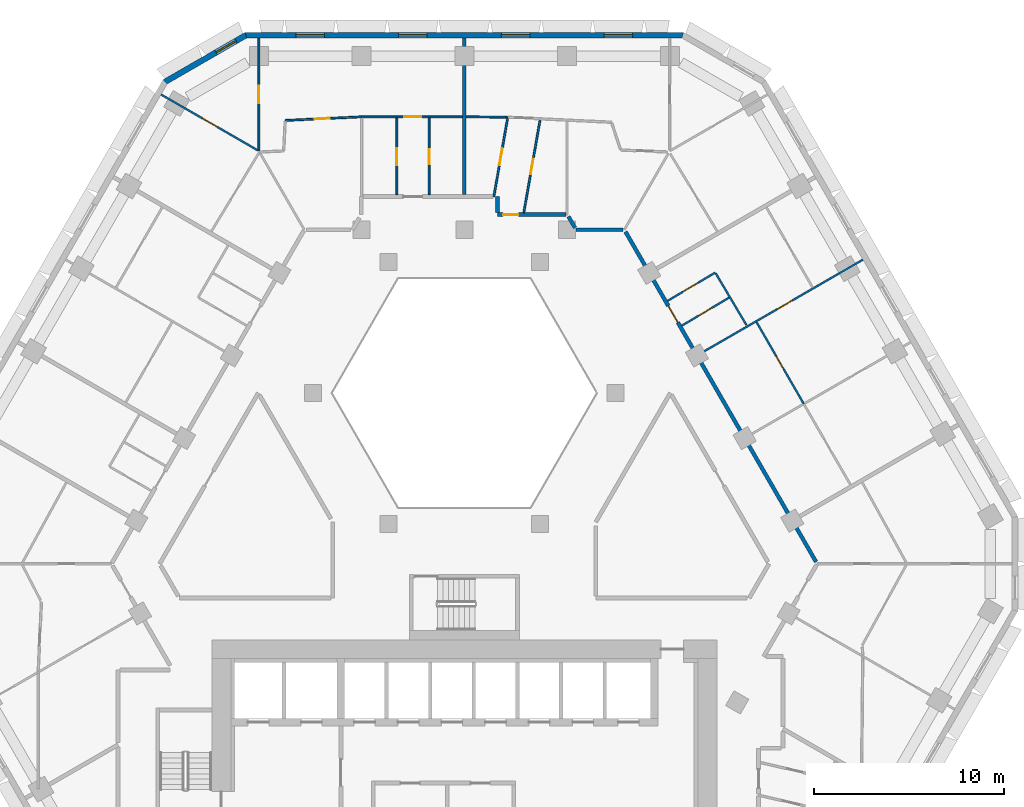
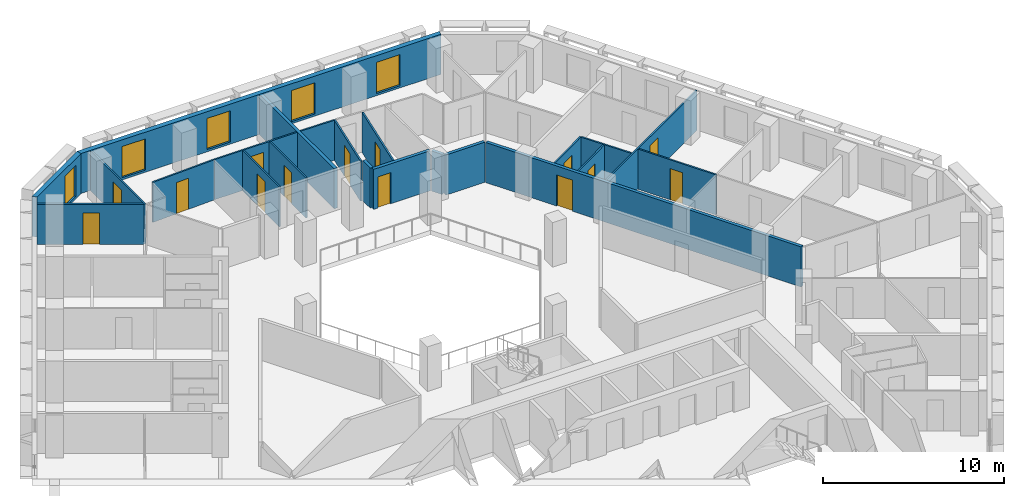
# One storey, part 8 of 15: 22 walls, 14 doors, 5 windows, 19 openings.
"""IFC4 building model written with IfcOpenShell, lengths in metres."""

from ifc_helpers import new_model, si_unit, direction, frame, frame_2d, origin, place, context, subcontext, project, spatial, polyline, rectangle, outline, extrude, material, layer, layer_set, type_object, element, fill, save


model = new_model("IFC4")

# Units and contexts
model_context = context("Model", 3, precision=1e-05, world=origin(), true_north=direction((0.0, 1.0)))
body_context = subcontext(model_context, "Body", "Model", "MODEL_VIEW")
ifc_project = project(units=[si_unit("LENGTHUNIT", "METRE"), si_unit("AREAUNIT", "SQUARE_METRE"), si_unit("VOLUMEUNIT", "CUBIC_METRE"), si_unit("PLANEANGLEUNIT", "RADIAN"), si_unit("MASSUNIT", "GRAM", prefix="KILO")], contexts=[model_context])

# Site, building, storey
site_placement = place(None, origin())
site = spatial("IfcSite", under=ifc_project, at=site_placement, CompositionType="ELEMENT")
building_placement = place(site_placement, origin())
building = spatial("IfcBuilding", under=site, at=building_placement, Name="Beryl Residences", CompositionType="ELEMENT")
storey_placement = place(building_placement, frame((0.0, 0.0, 78.0)))
storey = spatial("IfcBuildingStorey", under=building, at=storey_placement, Name="L23", CompositionType="ELEMENT", Elevation=78.0)

# Wall, openings, windows
ifc_material_1 = material(Name="Composite metal panel with mineral wool insulation")
ifc_layer_1 = layer(ifc_material_1, 0.300048828125)
ifc_layer_set_1 = layer_set([ifc_layer_1], Name="ES1 pale metal composite panel wall 300 mm")
wall_type_1 = type_object("IfcWallType", Name="ES1 pale metal composite panel wall 300 mm", PredefinedType="SOLIDWALL", material=ifc_layer_set_1)
wall_1_placement = place(storey_placement, frame((11.547119140625, 26.85009765625, 0.0), z_axis=(0.0, 0.0, 1.0), x_axis=(-1.0, 0.0, 0.0)))
wall_1 = element("IfcWall", 1, at=wall_1_placement, inside=storey, type_object=wall_type_1, Name="ES1 external wall L23 N", PredefinedType="SOLIDWALL", context=body_context, shape_type="SweptSolid", body=[
    extrude(outline(polyline([(0.0, -0.14990234375), (23.09423828125, -0.14990234375), (23.013916015625, 0.14990234375), (0.080322265625, 0.14990234375), (0.0, -0.14990234375)])), origin(), (0.0, 0.0, 1.0), 2.699951171875),
])
opening_1_placement = place(wall_1_placement, frame((2.677978515625, 0.0, 0.14990234375)))
opening_1 = element("IfcOpeningElement", 2, at=opening_1_placement, cuts=wall_1, Name="Opening W1", PredefinedType="OPENING", context=body_context, shape_type="SweptSolid", body=[
    extrude(rectangle(XDim=1.5, YDim=2.10009765625, at=frame_2d((0.75, 1.050048828125))), frame((0.0, 0.159912109375, 0.0), z_axis=(0.0, -1.0, 0.0), x_axis=(1.0, 0.0, 0.0)), (0.0, 0.0, 1.0), 0.320068359375),
])
opening_2_placement = place(wall_1_placement, frame((8.092041015625, 0.0, 0.14990234375)))
opening_2 = element("IfcOpeningElement", 3, at=opening_2_placement, cuts=wall_1, Name="Opening W1", PredefinedType="OPENING", context=body_context, shape_type="SweptSolid", body=[
    extrude(rectangle(XDim=1.5, YDim=2.10009765625, at=frame_2d((0.75, 1.050048828125))), frame((0.0, 0.159912109375, 0.0), z_axis=(0.0, -1.0, 0.0), x_axis=(1.0, 0.0, 0.0)), (0.0, 0.0, 1.0), 0.320068359375),
])
opening_3_placement = place(wall_1_placement, frame((13.50390625, 0.0, 0.14990234375)))
opening_3 = element("IfcOpeningElement", 4, at=opening_3_placement, cuts=wall_1, Name="Opening W1", PredefinedType="OPENING", context=body_context, shape_type="SweptSolid", body=[
    extrude(rectangle(XDim=1.5, YDim=2.10009765625, at=frame_2d((0.75, 1.050048828125))), frame((0.0, 0.159912109375, 0.0), z_axis=(0.0, -1.0, 0.0), x_axis=(1.0, 0.0, 0.0)), (0.0, 0.0, 1.0), 0.320068359375),
])
opening_4_placement = place(wall_1_placement, frame((18.9169921875, 0.0, 0.14990234375)))
opening_4 = element("IfcOpeningElement", 5, at=opening_4_placement, cuts=wall_1, Name="Opening W1", PredefinedType="OPENING", context=body_context, shape_type="SweptSolid", body=[
    extrude(rectangle(XDim=1.5, YDim=2.10009765625, at=frame_2d((0.75, 1.050048828125))), frame((0.0, 0.159912109375, 0.0), z_axis=(0.0, -1.0, 0.0), x_axis=(1.0, 0.0, 0.0)), (0.0, 0.0, 1.0), 0.320068359375),
])
ifc_material_2 = material(Name="Aluminium and clear glass", Category="aluminium")
window_type_1 = type_object("IfcWindowType", Name="W1 cell window 1500 x 2100 mm", PartitioningType="SINGLE_PANEL", PredefinedType="WINDOW", material=ifc_material_2)
window_1_placement = place(opening_1_placement, origin())
window_1 = element("IfcWindow", 6, at=window_1_placement, inside=storey, type_object=window_type_1, Name="W1 window L23 N 2", OverallHeight=2.10009765625, OverallWidth=1.5, PartitioningType="SINGLE_PANEL", PredefinedType="WINDOW", context=body_context, shape_type="SweptSolid", body=[
    extrude(rectangle(XDim=1.5, YDim=2.10009765625, at=frame_2d((0.75, 1.050048828125))), frame((0.0, 0.030029296875, 0.0), z_axis=(0.0, -1.0, 0.0), x_axis=(1.0, 0.0, 0.0)), (0.0, 0.0, 1.0), 0.06005859375),
])
fill(opening_1, window_1)
window_2_placement = place(opening_2_placement, origin())
window_2 = element("IfcWindow", 7, at=window_2_placement, inside=storey, type_object=window_type_1, Name="W1 window L23 N 4", OverallHeight=2.10009765625, OverallWidth=1.5, PartitioningType="SINGLE_PANEL", PredefinedType="WINDOW", context=body_context, shape_type="SweptSolid", body=[
    extrude(rectangle(XDim=1.5, YDim=2.10009765625, at=frame_2d((0.75, 1.050048828125))), frame((0.0, 0.030029296875, 0.0), z_axis=(0.0, -1.0, 0.0), x_axis=(1.0, 0.0, 0.0)), (0.0, 0.0, 1.0), 0.06005859375),
])
fill(opening_2, window_2)
window_3_placement = place(opening_3_placement, origin())
window_3 = element("IfcWindow", 8, at=window_3_placement, inside=storey, type_object=window_type_1, Name="W1 window L23 N 6", OverallHeight=2.10009765625, OverallWidth=1.5, PartitioningType="SINGLE_PANEL", PredefinedType="WINDOW", context=body_context, shape_type="SweptSolid", body=[
    extrude(rectangle(XDim=1.5, YDim=2.10009765625, at=frame_2d((0.75, 1.050048828125))), frame((0.0, 0.030029296875, 0.0), z_axis=(0.0, -1.0, 0.0), x_axis=(1.0, 0.0, 0.0)), (0.0, 0.0, 1.0), 0.06005859375),
])
fill(opening_3, window_3)
window_4_placement = place(opening_4_placement, origin())
window_4 = element("IfcWindow", 9, at=window_4_placement, inside=storey, type_object=window_type_1, Name="W1 window L23 N 8", OverallHeight=2.10009765625, OverallWidth=1.5, PartitioningType="SINGLE_PANEL", PredefinedType="WINDOW", context=body_context, shape_type="SweptSolid", body=[
    extrude(rectangle(XDim=1.5, YDim=2.10009765625, at=frame_2d((0.75, 1.050048828125))), frame((0.0, 0.030029296875, 0.0), z_axis=(0.0, -1.0, 0.0), x_axis=(1.0, 0.0, 0.0)), (0.0, 0.0, 1.0), 0.06005859375),
])
fill(opening_4, window_4)

# Wall, opening, window
wall_2_placement = place(storey_placement, frame((-11.471923828125, 26.8701171875, 0.0), z_axis=(0.0, 0.0, 1.0), x_axis=(-0.866022959057, -0.500004234368, 0.0)))
wall_2 = element("IfcWall", 10, at=wall_2_placement, inside=storey, type_object=wall_type_1, Name="ES1 external wall L23 N-NW", PredefinedType="SOLIDWALL", context=body_context, shape_type="SweptSolid", body=[
    extrude(outline(polyline([(0.0, -0.14990234375), (5.0, -0.14990234375), (4.919677734375, 0.14990234375), (0.080322265625, 0.14990234375), (0.0, -0.14990234375)])), origin(), (0.0, 0.0, 1.0), 2.699951171875),
])
opening_5_placement = place(wall_2_placement, frame((0.64990234375, 0.0, 0.14990234375)))
opening_5 = element("IfcOpeningElement", 11, at=opening_5_placement, cuts=wall_2, Name="Opening W2", PredefinedType="OPENING", context=body_context, shape_type="SweptSolid", body=[
    extrude(rectangle(XDim=1.199951171875, YDim=2.10009765625, at=frame_2d((0.60009765625, 1.050048828125))), frame((0.0, 0.159912109375, 0.0), z_axis=(0.0, -1.0, 0.0), x_axis=(1.0, 0.0, 0.0)), (0.0, 0.0, 1.0), 0.320068359375),
])
ifc_material_3 = material(Name="Aluminium and clear glass", Category="aluminium")
window_type_2 = type_object("IfcWindowType", Name="W2 chamfer window 1200 x 2100 mm", PartitioningType="SINGLE_PANEL", PredefinedType="WINDOW", material=ifc_material_3)
window_5_placement = place(opening_5_placement, origin())
window_5 = element("IfcWindow", 12, at=window_5_placement, inside=storey, type_object=window_type_2, Name="W2 window L23 N-NW 1", OverallHeight=2.10009765625, OverallWidth=1.199951171875, PartitioningType="SINGLE_PANEL", PredefinedType="WINDOW", context=body_context, shape_type="SweptSolid", body=[
    extrude(rectangle(XDim=1.199951171875, YDim=2.10009765625, at=frame_2d((0.60009765625, 1.050048828125))), frame((0.0, 0.030029296875, 0.0), z_axis=(0.0, -1.0, 0.0), x_axis=(1.0, 0.0, 0.0)), (0.0, 0.0, 1.0), 0.06005859375),
])
fill(opening_5, window_5)

# Walls
ifc_material_4 = material(Name="Gypsum board partition on steel studs", Category="steel")
ifc_layer_2 = layer(ifc_material_4, 0.10009765625)
ifc_layer_set_2 = layer_set([ifc_layer_2], Name="PT1 partition 100 mm gypsum board on steel studs")
wall_type_2 = type_object("IfcWallType", Name="PT1 partition 100 mm gypsum board on steel studs", PredefinedType="PARTITIONING", material=ifc_layer_set_2)
wall_3_placement = place(storey_placement, frame((0.09912109375, 22.549072265625, 0.0), z_axis=(0.0, 0.0, 1.0), x_axis=(0.99995279897, -0.009715957599, 0.0)))
element("IfcWall", 13, at=wall_3_placement, inside=storey, type_object=wall_type_2, Name="Wall PT1 L23 001", PredefinedType="PARTITIONING", context=body_context, shape_type="SweptSolid", body=[
    extrude(rectangle(XDim=2.160888671875, YDim=0.10009765625, at=frame_2d((1.08056640625, 0.0))), origin(), (0.0, 0.0, 1.0), 2.699951171875),
])
wall_4_placement = place(storey_placement, frame((13.2470703125, 14.300048828125, 0.0), z_axis=(0.0, 0.0, 1.0), x_axis=(0.510312234073, -0.85998919979, 0.0)))
element("IfcWall", 14, at=wall_4_placement, inside=storey, type_object=wall_type_2, Name="Wall PT1 L23 004", PredefinedType="PARTITIONING", context=body_context, shape_type="SweptSolid", body=[
    extrude(rectangle(XDim=3.162841796875, YDim=0.10009765625, at=frame_2d((1.58154296875, 0.0))), origin(), (0.0, 0.0, 1.0), 2.699951171875),
])

# Wall, opening, door
wall_5_placement = place(storey_placement, frame((15.39794921875, 11.73095703125, 0.0), z_axis=(0.0, 0.0, 1.0), x_axis=(0.500010064822, -0.866019592779, 0.0)))
wall_5 = element("IfcWall", 15, at=wall_5_placement, inside=storey, type_object=wall_type_2, Name="Wall PT1 L23 006", PredefinedType="PARTITIONING", context=body_context, shape_type="SweptSolid", body=[
    extrude(rectangle(XDim=4.97216796875, YDim=0.10009765625, at=frame_2d((2.486083984375, 0.0))), origin(), (0.0, 0.0, 1.0), 2.699951171875),
])
opening_6_placement = place(wall_5_placement, frame((2.06103515625, 0.0, 0.0)))
opening_6 = element("IfcOpeningElement", 16, at=opening_6_placement, cuts=wall_5, Name="Opening D0814", PredefinedType="OPENING", context=body_context, shape_type="SweptSolid", body=[
    extrude(rectangle(XDim=0.800048828125, YDim=2.10009765625, at=frame_2d((0.39990234375, 1.050048828125))), frame((0.0, 0.06005859375, 0.0), z_axis=(0.0, -1.0, 0.0), x_axis=(1.0, 0.0, 0.0)), (0.0, 0.0, 1.0), 0.1201171875),
])
ifc_material_5 = material(Name="Timber door leaf", Category="wood")
door_type_1 = type_object("IfcDoorType", Name="D3 bathroom door 800 x 2100 mm", OperationType="SINGLE_SWING_LEFT", PredefinedType="DOOR", material=ifc_material_5)
door_1_placement = place(opening_6_placement, origin())
door_1 = element("IfcDoor", 17, at=door_1_placement, inside=storey, type_object=door_type_1, Name="Door D0814 L23 001", OperationType="SINGLE_SWING_RIGHT", OverallHeight=2.10009765625, OverallWidth=0.800048828125, PredefinedType="DOOR", context=body_context, shape_type="SweptSolid", body=[
    extrude(rectangle(XDim=0.800048828125, YDim=2.10009765625, at=frame_2d((0.39990234375, 1.050048828125))), frame((0.0, 0.02490234375, 0.0), z_axis=(0.0, -1.0, 0.0), x_axis=(1.0, 0.0, 0.0)), (0.0, 0.0, 1.0), 0.050048828125),
])
fill(opening_6, door_1)

wall_6_placement = place(storey_placement, frame((-15.97705078125, 23.72509765625, 0.0), z_axis=(0.0, 0.0, 1.0), x_axis=(0.866028213039, -0.499995134196, 0.0)))
wall_6 = element("IfcWall", 18, at=wall_6_placement, inside=storey, type_object=wall_type_2, Name="Wall PT1 L23 025", PredefinedType="PARTITIONING", context=body_context, shape_type="SweptSolid", body=[
    extrude(rectangle(XDim=5.89013671875, YDim=0.10009765625, at=frame_2d((2.945068359375, 0.0))), origin(), (0.0, 0.0, 1.0), 2.699951171875),
])
opening_7_placement = place(wall_6_placement, frame((2.52392578125, 0.0, 0.0)))
opening_7 = element("IfcOpeningElement", 19, at=opening_7_placement, cuts=wall_6, Name="Opening D0829", PredefinedType="OPENING", context=body_context, shape_type="SweptSolid", body=[
    extrude(rectangle(XDim=0.89990234375, YDim=2.10009765625, at=frame_2d((0.449951171875, 1.050048828125))), frame((0.0, 0.06005859375, 0.0), z_axis=(0.0, -1.0, 0.0), x_axis=(1.0, 0.0, 0.0)), (0.0, 0.0, 1.0), 0.1201171875),
])
ifc_material_6 = material(Name="Timber door leaf", Category="wood")
door_type_2 = type_object("IfcDoorType", Name="D2 room door 900 x 2100 mm", OperationType="SINGLE_SWING_LEFT", PredefinedType="DOOR", material=ifc_material_6)
door_2_placement = place(opening_7_placement, origin())
door_2 = element("IfcDoor", 20, at=door_2_placement, inside=storey, type_object=door_type_2, Name="Door D0829 L23 001", OperationType="SINGLE_SWING_LEFT", OverallHeight=2.10009765625, OverallWidth=0.89990234375, PredefinedType="DOOR", context=body_context, shape_type="SweptSolid", body=[
    extrude(rectangle(XDim=0.89990234375, YDim=2.10009765625, at=frame_2d((0.449951171875, 1.050048828125))), frame((0.0, 0.02490234375, 0.0), z_axis=(0.0, -1.0, 0.0), x_axis=(1.0, 0.0, 0.0)), (0.0, 0.0, 1.0), 0.050048828125),
])
fill(opening_7, door_2)

wall_7_placement = place(storey_placement, frame((-5.384033203125, 22.550048828125, 0.0), z_axis=(0.0, 0.0, 1.0), x_axis=(1.0, 0.0, 0.0)))
wall_7 = element("IfcWall", 21, at=wall_7_placement, inside=storey, type_object=wall_type_2, Name="Wall PT1 L23 032", PredefinedType="PARTITIONING", context=body_context, shape_type="SweptSolid", body=[
    extrude(rectangle(XDim=5.282958984375, YDim=0.10009765625, at=frame_2d((2.6416015625, 0.0))), origin(), (0.0, 0.0, 1.0), 2.699951171875),
])
opening_8_placement = place(wall_7_placement, frame((2.22607421875, 0.0, 0.0)))
opening_8 = element("IfcOpeningElement", 22, at=opening_8_placement, cuts=wall_7, Name="Opening D0826", PredefinedType="OPENING", context=body_context, shape_type="SweptSolid", body=[
    extrude(rectangle(XDim=0.89990234375, YDim=2.10009765625, at=frame_2d((0.449951171875, 1.050048828125))), frame((0.0, 0.06005859375, 0.0), z_axis=(0.0, -1.0, 0.0), x_axis=(1.0, 0.0, 0.0)), (0.0, 0.0, 1.0), 0.1201171875),
])
door_3_placement = place(opening_8_placement, origin())
door_3 = element("IfcDoor", 23, at=door_3_placement, inside=storey, type_object=door_type_2, Name="Door D0826 L23 001", OperationType="SINGLE_SWING_RIGHT", OverallHeight=2.10009765625, OverallWidth=0.89990234375, PredefinedType="DOOR", context=body_context, shape_type="SweptSolid", body=[
    extrude(rectangle(XDim=0.89990234375, YDim=2.10009765625, at=frame_2d((0.449951171875, 1.050048828125))), frame((0.0, 0.02490234375, 0.0), z_axis=(0.0, -1.0, 0.0), x_axis=(1.0, 0.0, 0.0)), (0.0, 0.0, 1.0), 0.050048828125),
])
fill(opening_8, door_3)

wall_8_placement = place(storey_placement, frame((3.134033203125, 17.5, 0.0), z_axis=(0.0, 0.0, 1.0), x_axis=(0.172821216702, 0.984953210593, 0.0)))
wall_8 = element("IfcWall", 24, at=wall_8_placement, inside=storey, type_object=wall_type_2, Name="Wall PT1 L23 042", PredefinedType="PARTITIONING", context=body_context, shape_type="SweptSolid", body=[
    extrude(rectangle(XDim=4.9697265625, YDim=0.10009765625, at=frame_2d((2.48486328125, 0.0))), origin(), (0.0, 0.0, 1.0), 2.699951171875),
])
opening_9_placement = place(wall_8_placement, frame((2.05908203125, 0.0, 0.0)))
opening_9 = element("IfcOpeningElement", 25, at=opening_9_placement, cuts=wall_8, Name="Opening D0816", PredefinedType="OPENING", context=body_context, shape_type="SweptSolid", body=[
    extrude(rectangle(XDim=0.800048828125, YDim=2.10009765625, at=frame_2d((0.39990234375, 1.050048828125))), frame((0.0, 0.06005859375, 0.0), z_axis=(0.0, -1.0, 0.0), x_axis=(1.0, 0.0, 0.0)), (0.0, 0.0, 1.0), 0.1201171875),
])
door_4_placement = place(opening_9_placement, origin())
door_4 = element("IfcDoor", 26, at=door_4_placement, inside=storey, type_object=door_type_1, Name="Door D0816 L23 001", OperationType="SINGLE_SWING_RIGHT", OverallHeight=2.10009765625, OverallWidth=0.800048828125, PredefinedType="DOOR", context=body_context, shape_type="SweptSolid", body=[
    extrude(rectangle(XDim=0.800048828125, YDim=2.10009765625, at=frame_2d((0.39990234375, 1.050048828125))), frame((0.0, 0.02490234375, 0.0), z_axis=(0.0, -1.0, 0.0), x_axis=(1.0, 0.0, 0.0)), (0.0, 0.0, 1.0), 0.050048828125),
])
fill(opening_9, door_4)

wall_9_placement = place(storey_placement, frame((1.556884765625, 18.35009765625, 0.0), z_axis=(0.0, 0.0, 1.0), x_axis=(0.173062973099, 0.984910761106, 0.0)))
wall_9 = element("IfcWall", 27, at=wall_9_placement, inside=storey, type_object=wall_type_2, Name="Wall PT1 L23 043", PredefinedType="PARTITIONING", context=body_context, shape_type="SweptSolid", body=[
    extrude(rectangle(XDim=4.241943359375, YDim=0.10009765625, at=frame_2d((2.12109375, 0.0))), origin(), (0.0, 0.0, 1.0), 2.699951171875),
])
opening_10_placement = place(wall_9_placement, frame((1.6708984375, 0.0, 0.0)))
opening_10 = element("IfcOpeningElement", 28, at=opening_10_placement, cuts=wall_9, Name="Opening D0817", PredefinedType="OPENING", context=body_context, shape_type="SweptSolid", body=[
    extrude(rectangle(XDim=0.89990234375, YDim=2.10009765625, at=frame_2d((0.449951171875, 1.050048828125))), frame((0.0, 0.06005859375, 0.0), z_axis=(0.0, -1.0, 0.0), x_axis=(1.0, 0.0, 0.0)), (0.0, 0.0, 1.0), 0.1201171875),
])
door_5_placement = place(opening_10_placement, origin())
door_5 = element("IfcDoor", 29, at=door_5_placement, inside=storey, type_object=door_type_2, Name="Door D0817 L23 001", OperationType="SINGLE_SWING_LEFT", OverallHeight=2.10009765625, OverallWidth=0.89990234375, PredefinedType="DOOR", context=body_context, shape_type="SweptSolid", body=[
    extrude(rectangle(XDim=0.89990234375, YDim=2.10009765625, at=frame_2d((0.449951171875, 1.050048828125))), frame((0.0, 0.02490234375, 0.0), z_axis=(0.0, -1.0, 0.0), x_axis=(1.0, 0.0, 0.0)), (0.0, 0.0, 1.0), 0.050048828125),
])
fill(opening_10, door_5)

wall_10_placement = place(storey_placement, frame((-3.556884765625, 18.449951171875, 0.0), z_axis=(0.0, 0.0, 1.0), x_axis=(0.0, 1.0, 0.0)))
wall_10 = element("IfcWall", 30, at=wall_10_placement, inside=storey, type_object=wall_type_2, Name="Wall PT1 L23 053", PredefinedType="PARTITIONING", context=body_context, shape_type="SweptSolid", body=[
    extrude(rectangle(XDim=4.050048828125, YDim=0.10009765625, at=frame_2d((2.02490234375, 0.0))), origin(), (0.0, 0.0, 1.0), 2.699951171875),
])
opening_11_placement = place(wall_10_placement, frame((1.550048828125, 0.0, 0.0)))
opening_11 = element("IfcOpeningElement", 31, at=opening_11_placement, cuts=wall_10, Name="Opening D0825", PredefinedType="OPENING", context=body_context, shape_type="SweptSolid", body=[
    extrude(rectangle(XDim=0.89990234375, YDim=2.10009765625, at=frame_2d((0.449951171875, 1.050048828125))), frame((0.0, 0.06005859375, 0.0), z_axis=(0.0, -1.0, 0.0), x_axis=(1.0, 0.0, 0.0)), (0.0, 0.0, 1.0), 0.1201171875),
])
door_6_placement = place(opening_11_placement, origin())
door_6 = element("IfcDoor", 32, at=door_6_placement, inside=storey, type_object=door_type_2, Name="Door D0825 L23 001", OperationType="SINGLE_SWING_LEFT", OverallHeight=2.10009765625, OverallWidth=0.89990234375, PredefinedType="DOOR", context=body_context, shape_type="SweptSolid", body=[
    extrude(rectangle(XDim=0.89990234375, YDim=2.10009765625, at=frame_2d((0.449951171875, 1.050048828125))), frame((0.0, 0.02490234375, 0.0), z_axis=(0.0, -1.0, 0.0), x_axis=(1.0, 0.0, 0.0)), (0.0, 0.0, 1.0), 0.050048828125),
])
fill(opening_11, door_6)

wall_11_placement = place(storey_placement, frame((-10.826904296875, 20.7529296875, 0.0), z_axis=(0.0, 0.0, 1.0), x_axis=(0.0, 1.0, 0.0)))
wall_11 = element("IfcWall", 33, at=wall_11_placement, inside=storey, type_object=wall_type_2, Name="Wall PT1 L23 056", PredefinedType="PARTITIONING", context=body_context, shape_type="SweptSolid", body=[
    extrude(rectangle(XDim=5.947021484375, YDim=0.10009765625, at=frame_2d((2.9736328125, 0.0))), origin(), (0.0, 0.0, 1.0), 2.699951171875),
])
opening_12_placement = place(wall_11_placement, frame((2.52294921875, 0.0, 0.0)))
opening_12 = element("IfcOpeningElement", 34, at=opening_12_placement, cuts=wall_11, Name="Opening D0827", PredefinedType="OPENING", context=body_context, shape_type="SweptSolid", body=[
    extrude(rectangle(XDim=0.89990234375, YDim=2.10009765625, at=frame_2d((0.449951171875, 1.050048828125))), frame((0.0, 0.06005859375, 0.0), z_axis=(0.0, -1.0, 0.0), x_axis=(1.0, 0.0, 0.0)), (0.0, 0.0, 1.0), 0.1201171875),
])
door_7_placement = place(opening_12_placement, origin())
door_7 = element("IfcDoor", 35, at=door_7_placement, inside=storey, type_object=door_type_2, Name="Door D0827 L23 001", OperationType="SINGLE_SWING_LEFT", OverallHeight=2.10009765625, OverallWidth=0.89990234375, PredefinedType="DOOR", context=body_context, shape_type="SweptSolid", body=[
    extrude(rectangle(XDim=0.89990234375, YDim=2.10009765625, at=frame_2d((0.449951171875, 1.050048828125))), frame((0.0, 0.02490234375, 0.0), z_axis=(0.0, -1.0, 0.0), x_axis=(1.0, 0.0, 0.0)), (0.0, 0.0, 1.0), 0.050048828125),
])
fill(opening_12, door_7)

wall_12_placement = place(storey_placement, frame((-1.85693359375, 18.449951171875, 0.0), z_axis=(0.0, 0.0, 1.0), x_axis=(0.0, 1.0, 0.0)))
wall_12 = element("IfcWall", 36, at=wall_12_placement, inside=storey, type_object=wall_type_2, Name="Wall PT1 L23 058", PredefinedType="PARTITIONING", context=body_context, shape_type="SweptSolid", body=[
    extrude(rectangle(XDim=4.050048828125, YDim=0.10009765625, at=frame_2d((2.02490234375, 0.0))), origin(), (0.0, 0.0, 1.0), 2.699951171875),
])
opening_13_placement = place(wall_12_placement, frame((1.60009765625, 0.0, 0.0)))
opening_13 = element("IfcOpeningElement", 37, at=opening_13_placement, cuts=wall_12, Name="Opening D0824", PredefinedType="OPENING", context=body_context, shape_type="SweptSolid", body=[
    extrude(rectangle(XDim=0.800048828125, YDim=2.10009765625, at=frame_2d((0.39990234375, 1.050048828125))), frame((0.0, 0.06005859375, 0.0), z_axis=(0.0, -1.0, 0.0), x_axis=(1.0, 0.0, 0.0)), (0.0, 0.0, 1.0), 0.1201171875),
])
door_8_placement = place(opening_13_placement, origin())
door_8 = element("IfcDoor", 38, at=door_8_placement, inside=storey, type_object=door_type_1, Name="Door D0824 L23 001", OperationType="SINGLE_SWING_RIGHT", OverallHeight=2.10009765625, OverallWidth=0.800048828125, PredefinedType="DOOR", context=body_context, shape_type="SweptSolid", body=[
    extrude(rectangle(XDim=0.800048828125, YDim=2.10009765625, at=frame_2d((0.39990234375, 1.050048828125))), frame((0.0, 0.02490234375, 0.0), z_axis=(0.0, -1.0, 0.0), x_axis=(1.0, 0.0, 0.0)), (0.0, 0.0, 1.0), 0.050048828125),
])
fill(opening_13, door_8)

wall_13_placement = place(storey_placement, frame((-9.43505859375, 22.35791015625, 0.0), z_axis=(0.0, 0.0, 1.0), x_axis=(0.998871548472, 0.04749346959, 0.0)))
wall_13 = element("IfcWall", 39, at=wall_13_placement, inside=storey, type_object=wall_type_2, Name="Wall PT1 L23 062", PredefinedType="PARTITIONING", context=body_context, shape_type="SweptSolid", body=[
    extrude(rectangle(XDim=4.045654296875, YDim=0.10009765625, at=frame_2d((2.02294921875, 0.0))), origin(), (0.0, 0.0, 1.0), 2.699951171875),
])
opening_14_placement = place(wall_13_placement, frame((1.554931640625, 0.0, 0.0)))
opening_14 = element("IfcOpeningElement", 40, at=opening_14_placement, cuts=wall_13, Name="Opening D0828", PredefinedType="OPENING", context=body_context, shape_type="SweptSolid", body=[
    extrude(rectangle(XDim=0.800048828125, YDim=2.10009765625, at=frame_2d((0.39990234375, 1.050048828125))), frame((0.0, 0.06005859375, 0.0), z_axis=(0.0, -1.0, 0.0), x_axis=(1.0, 0.0, 0.0)), (0.0, 0.0, 1.0), 0.1201171875),
])
door_9_placement = place(opening_14_placement, origin())
door_9 = element("IfcDoor", 41, at=door_9_placement, inside=storey, type_object=door_type_1, Name="Door D0828 L23 001", OperationType="SINGLE_SWING_RIGHT", OverallHeight=2.10009765625, OverallWidth=0.800048828125, PredefinedType="DOOR", context=body_context, shape_type="SweptSolid", body=[
    extrude(rectangle(XDim=0.800048828125, YDim=2.10009765625, at=frame_2d((0.39990234375, 1.050048828125))), frame((0.0, 0.02490234375, 0.0), z_axis=(0.0, -1.0, 0.0), x_axis=(1.0, 0.0, 0.0)), (0.0, 0.0, 1.0), 0.050048828125),
])
fill(opening_14, door_9)

wall_14_placement = place(storey_placement, frame((12.342041015625, 10.02490234375, 0.0), z_axis=(0.0, 0.0, 1.0), x_axis=(0.865992435864, 0.500057097767, 0.0)))
wall_14 = element("IfcWall", 42, at=wall_14_placement, inside=storey, type_object=wall_type_2, Name="Wall PT1 L23 067", PredefinedType="PARTITIONING", context=body_context, shape_type="SweptSolid", body=[
    extrude(rectangle(XDim=9.998779296875, YDim=0.10009765625, at=frame_2d((4.99951171875, 0.0))), origin(), (0.0, 0.0, 1.0), 2.699951171875),
])
opening_15_placement = place(wall_14_placement, frame((4.794921875, 0.0, 0.0)))
opening_15 = element("IfcOpeningElement", 43, at=opening_15_placement, cuts=wall_14, Name="Opening D0811", PredefinedType="OPENING", context=body_context, shape_type="SweptSolid", body=[
    extrude(rectangle(XDim=0.89990234375, YDim=2.10009765625, at=frame_2d((0.449951171875, 1.050048828125))), frame((0.0, 0.06005859375, 0.0), z_axis=(0.0, -1.0, 0.0), x_axis=(1.0, 0.0, 0.0)), (0.0, 0.0, 1.0), 0.1201171875),
])
door_10_placement = place(opening_15_placement, origin())
door_10 = element("IfcDoor", 44, at=door_10_placement, inside=storey, type_object=door_type_2, Name="Door D0811 L23 001", OperationType="SINGLE_SWING_LEFT", OverallHeight=2.10009765625, OverallWidth=0.89990234375, PredefinedType="DOOR", context=body_context, shape_type="SweptSolid", body=[
    extrude(rectangle(XDim=0.89990234375, YDim=2.10009765625, at=frame_2d((0.449951171875, 1.050048828125))), frame((0.0, 0.02490234375, 0.0), z_axis=(0.0, -1.0, 0.0), x_axis=(1.0, 0.0, 0.0)), (0.0, 0.0, 1.0), 0.050048828125),
])
fill(opening_15, door_10)

wall_15_placement = place(storey_placement, frame((11.4619140625, 11.548095703125, 0.0), z_axis=(0.0, 0.0, 1.0), x_axis=(0.860106181478, 0.510115042498, 0.0)))
wall_15 = element("IfcWall", 45, at=wall_15_placement, inside=storey, type_object=wall_type_2, Name="Wall PT1 L23 068", PredefinedType="PARTITIONING", context=body_context, shape_type="SweptSolid", body=[
    extrude(rectangle(XDim=2.889404296875, YDim=0.10009765625, at=frame_2d((1.44482421875, 0.0))), origin(), (0.0, 0.0, 1.0), 2.699951171875),
])
opening_16_placement = place(wall_15_placement, frame((1.01904296875, 0.0, 0.0)))
opening_16 = element("IfcOpeningElement", 46, at=opening_16_placement, cuts=wall_15, Name="Opening D0809", PredefinedType="OPENING", context=body_context, shape_type="SweptSolid", body=[
    extrude(rectangle(XDim=0.800048828125, YDim=2.10009765625, at=frame_2d((0.39990234375, 1.050048828125))), frame((0.0, 0.06005859375, 0.0), z_axis=(0.0, -1.0, 0.0), x_axis=(1.0, 0.0, 0.0)), (0.0, 0.0, 1.0), 0.1201171875),
])
door_11_placement = place(opening_16_placement, origin())
door_11 = element("IfcDoor", 47, at=door_11_placement, inside=storey, type_object=door_type_1, Name="Door D0809 L23 001", OperationType="SINGLE_SWING_LEFT", OverallHeight=2.10009765625, OverallWidth=0.800048828125, PredefinedType="DOOR", context=body_context, shape_type="SweptSolid", body=[
    extrude(rectangle(XDim=0.800048828125, YDim=2.10009765625, at=frame_2d((0.39990234375, 1.050048828125))), frame((0.0, 0.02490234375, 0.0), z_axis=(0.0, -1.0, 0.0), x_axis=(1.0, 0.0, 0.0)), (0.0, 0.0, 1.0), 0.050048828125),
])
fill(opening_16, door_11)

wall_16_placement = place(storey_placement, frame((10.708984375, 12.85302734375, 0.0), z_axis=(0.0, 0.0, 1.0), x_axis=(0.859991215576, 0.510308837011, 0.0)))
wall_16 = element("IfcWall", 48, at=wall_16_placement, inside=storey, type_object=wall_type_2, Name="Wall PT1 L23 069", PredefinedType="PARTITIONING", context=body_context, shape_type="SweptSolid", body=[
    extrude(rectangle(XDim=2.919677734375, YDim=0.10009765625, at=frame_2d((1.4599609375, 0.0))), origin(), (0.0, 0.0, 1.0), 2.699951171875),
])
opening_17_placement = place(wall_16_placement, frame((0.9599609375, 0.0, 0.0)))
opening_17 = element("IfcOpeningElement", 49, at=opening_17_placement, cuts=wall_16, Name="Opening D0808", PredefinedType="OPENING", context=body_context, shape_type="SweptSolid", body=[
    extrude(rectangle(XDim=0.89990234375, YDim=2.10009765625, at=frame_2d((0.449951171875, 1.050048828125))), frame((0.0, 0.06005859375, 0.0), z_axis=(0.0, -1.0, 0.0), x_axis=(1.0, 0.0, 0.0)), (0.0, 0.0, 1.0), 0.1201171875),
])
door_12_placement = place(opening_17_placement, origin())
door_12 = element("IfcDoor", 50, at=door_12_placement, inside=storey, type_object=door_type_2, Name="Door D0808 L23 001", OperationType="SINGLE_SWING_RIGHT", OverallHeight=2.10009765625, OverallWidth=0.89990234375, PredefinedType="DOOR", context=body_context, shape_type="SweptSolid", body=[
    extrude(rectangle(XDim=0.89990234375, YDim=2.10009765625, at=frame_2d((0.449951171875, 1.050048828125))), frame((0.0, 0.02490234375, 0.0), z_axis=(0.0, -1.0, 0.0), x_axis=(1.0, 0.0, 0.0)), (0.0, 0.0, 1.0), 0.050048828125),
])
fill(opening_17, door_12)

# Walls
ifc_material_7 = material(Name="Acoustic double stud gypsum board wall")
ifc_layer_3 = layer(ifc_material_7, 0.199951171875)
ifc_layer_set_3 = layer_set([ifc_layer_3], Name="PT3 party wall 200 mm acoustic double stud")
wall_type_3 = type_object("IfcWallType", Name="PT3 party wall 200 mm acoustic double stud", PredefinedType="PARTITIONING", material=ifc_layer_set_3)
wall_17_placement = place(storey_placement, frame((-0.0009765625, 18.449951171875, 0.0), z_axis=(0.0, 0.0, 1.0), x_axis=(0.0, 1.0, 0.0)))
element("IfcWall", 51, at=wall_17_placement, inside=storey, type_object=wall_type_3, Name="Wall PT3 L23 009", PredefinedType="PARTITIONING", context=body_context, shape_type="SweptSolid", body=[
    extrude(rectangle(XDim=8.25, YDim=0.199951171875, at=frame_2d((4.125, 0.0))), origin(), (0.0, 0.0, 1.0), 2.699951171875),
])
ifc_material_8 = material(Name="Double stud gypsum board wall")
ifc_layer_4 = layer(ifc_material_8, 0.199951171875)
ifc_layer_set_4 = layer_set([ifc_layer_4], Name="PT4 corridor wall 200 mm double stud")
wall_type_4 = type_object("IfcWallType", Name="PT4 corridor wall 200 mm double stud", PredefinedType="PARTITIONING", material=ifc_layer_set_4)
wall_18_placement = place(storey_placement, frame((5.485107421875, 17.300048828125, 0.0), z_axis=(0.0, 0.0, 1.0), x_axis=(0.499437640892, -0.866349838611, 0.0)))
element("IfcWall", 52, at=wall_18_placement, inside=storey, type_object=wall_type_4, Name="Wall PT4 L23 004", PredefinedType="PARTITIONING", context=body_context, shape_type="SweptSolid", body=[
    extrude(rectangle(XDim=0.692626953125, YDim=0.199951171875, at=frame_2d((0.34619140625, 0.0))), origin(), (0.0, 0.0, 1.0), 2.699951171875),
])

# Wall, opening, door
wall_19_placement = place(storey_placement, frame((8.488037109375, 16.5, 0.0), z_axis=(0.0, 0.0, 1.0), x_axis=(0.499986836607, -0.86603300354, 0.0)))
wall_19 = element("IfcWall", 53, at=wall_19_placement, inside=storey, type_object=wall_type_4, Name="Wall PT4 L23 006", PredefinedType="PARTITIONING", context=body_context, shape_type="SweptSolid", body=[
    extrude(rectangle(XDim=20.09033203125, YDim=0.199951171875, at=frame_2d((10.045166015625, 0.0))), origin(), (0.0, 0.0, 1.0), 2.699951171875),
])
opening_18_placement = place(wall_19_placement, frame((4.52294921875, 0.0, 0.0)))
opening_18 = element("IfcOpeningElement", 54, at=opening_18_placement, cuts=wall_19, Name="Opening D0807", PredefinedType="OPENING", context=body_context, shape_type="SweptSolid", body=[
    extrude(rectangle(XDim=1.0, YDim=2.10009765625, at=frame_2d((0.5, 1.050048828125))), frame((0.0, 0.10986328125, 0.0), z_axis=(0.0, -1.0, 0.0), x_axis=(1.0, 0.0, 0.0)), (0.0, 0.0, 1.0), 0.219970703125),
])
ifc_material_9 = material(Name="Timber door leaf", Category="wood")
door_type_3 = type_object("IfcDoorType", Name="D1 flat entrance door 1000 x 2100 mm", OperationType="SINGLE_SWING_LEFT", PredefinedType="DOOR", material=ifc_material_9)
door_13_placement = place(opening_18_placement, origin())
door_13 = element("IfcDoor", 55, at=door_13_placement, inside=storey, type_object=door_type_3, Name="Door D0807 L23 001", OperationType="SINGLE_SWING_LEFT", OverallHeight=2.10009765625, OverallWidth=1.0, PredefinedType="DOOR", context=body_context, shape_type="SweptSolid", body=[
    extrude(rectangle(XDim=1.0, YDim=2.10009765625, at=frame_2d((0.5, 1.050048828125))), frame((0.0, 0.02490234375, 0.0), z_axis=(0.0, -1.0, 0.0), x_axis=(1.0, 0.0, 0.0)), (0.0, 0.0, 1.0), 0.050048828125),
])
fill(opening_18, door_13)

# Walls
wall_20_placement = place(storey_placement, frame((1.7490234375, 18.35009765625, 0.0), z_axis=(0.0, 0.0, 1.0), x_axis=(0.0, -1.0, 0.0)))
element("IfcWall", 56, at=wall_20_placement, inside=storey, type_object=wall_type_4, Name="Wall PT4 L23 012", PredefinedType="PARTITIONING", context=body_context, shape_type="SweptSolid", body=[
    extrude(rectangle(XDim=0.84912109375, YDim=0.199951171875, at=frame_2d((0.424560546875, 0.0))), origin(), (0.0, 0.0, 1.0), 2.699951171875),
])
wall_21_placement = place(storey_placement, frame((5.888916015625, 16.60009765625, 0.0), z_axis=(0.0, 0.0, 1.0), x_axis=(1.0, 0.0, 0.0)))
element("IfcWall", 57, at=wall_21_placement, inside=storey, type_object=wall_type_4, Name="Wall PT4 L23 021", PredefinedType="PARTITIONING", context=body_context, shape_type="SweptSolid", body=[
    extrude(rectangle(XDim=2.483154296875, YDim=0.199951171875, at=frame_2d((1.24169921875, 0.0))), origin(), (0.0, 0.0, 1.0), 2.699951171875),
])

# Wall, opening, door
wall_22_placement = place(storey_placement, frame((1.75, 17.39990234375, 0.0), z_axis=(0.0, 0.0, 1.0), x_axis=(1.0, 0.0, 0.0)))
wall_22 = element("IfcWall", 58, at=wall_22_placement, inside=storey, type_object=wall_type_4, Name="Wall PT4 L23 022", PredefinedType="PARTITIONING", context=body_context, shape_type="SweptSolid", body=[
    extrude(rectangle(XDim=3.612060546875, YDim=0.199951171875, at=frame_2d((1.80615234375, 0.0))), origin(), (0.0, 0.0, 1.0), 2.699951171875),
])
opening_19_placement = place(wall_22_placement, frame((0.2919921875, 0.0, 0.0)))
opening_19 = element("IfcOpeningElement", 59, at=opening_19_placement, cuts=wall_22, Name="Opening D0815", PredefinedType="OPENING", context=body_context, shape_type="SweptSolid", body=[
    extrude(rectangle(XDim=0.800048828125, YDim=2.10009765625, at=frame_2d((0.39990234375, 1.050048828125))), frame((0.0, 0.10986328125, 0.0), z_axis=(0.0, -1.0, 0.0), x_axis=(1.0, 0.0, 0.0)), (0.0, 0.0, 1.0), 0.219970703125),
])
ifc_material_10 = material(Name="Timber door leaf", Category="wood")
door_type_4 = type_object("IfcDoorType", Name="D12 flat entrance door 800 x 2100 mm", OperationType="SINGLE_SWING_LEFT", PredefinedType="DOOR", material=ifc_material_10)
door_14_placement = place(opening_19_placement, origin())
door_14 = element("IfcDoor", 60, at=door_14_placement, inside=storey, type_object=door_type_4, Name="Door D0815 L23 001", OperationType="SINGLE_SWING_LEFT", OverallHeight=2.10009765625, OverallWidth=0.800048828125, PredefinedType="DOOR", context=body_context, shape_type="SweptSolid", body=[
    extrude(rectangle(XDim=0.800048828125, YDim=2.10009765625, at=frame_2d((0.39990234375, 1.050048828125))), frame((0.0, 0.02490234375, 0.0), z_axis=(0.0, -1.0, 0.0), x_axis=(1.0, 0.0, 0.0)), (0.0, 0.0, 1.0), 0.050048828125),
])
fill(opening_19, door_14)

save(model, "model.ifc")
